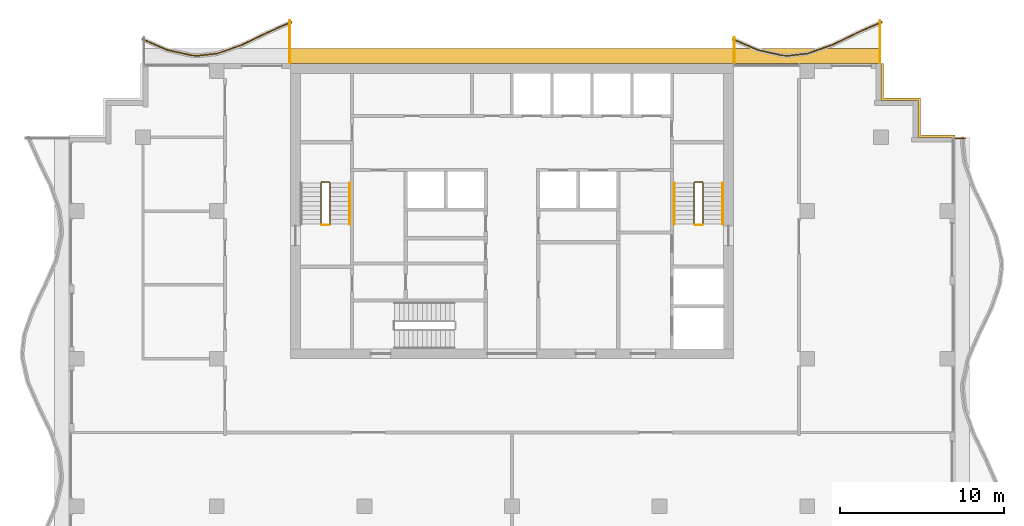
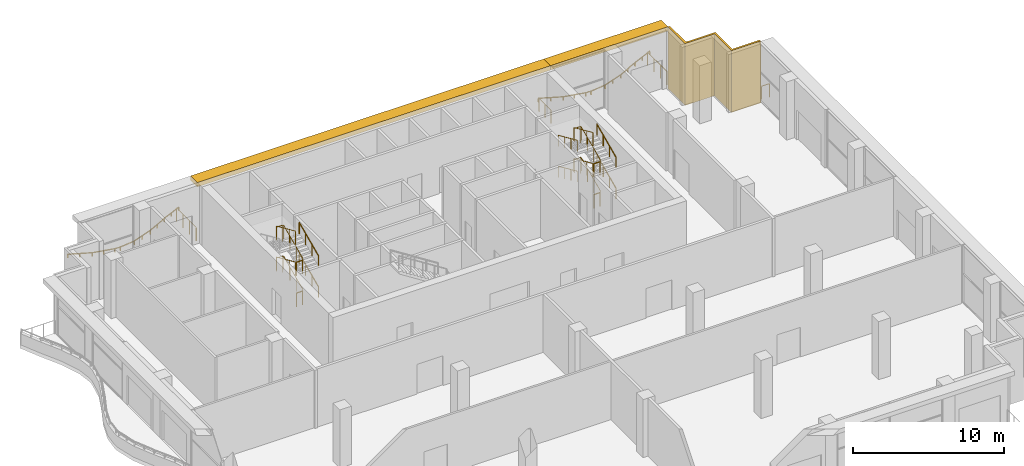
# One storey, part 14 of 14: 20 railings, 3 shading devices.
"""IFC4 building model written with IfcOpenShell, lengths in metres."""

from ifc_helpers import new_model, si_unit, direction, frame, origin, origin_2d, place, context, subcontext, project, spatial, polyline, rectangle, circle, outline, extrude, material, layer, layer_set, type_object, element, save


model = new_model("IFC4")

# Units and contexts
model_context = context("Model", 3, precision=1e-05, world=origin(), true_north=direction((0.0, 1.0)))
body_context = subcontext(model_context, "Body", "Model", "MODEL_VIEW")
ifc_project = project(units=[si_unit("LENGTHUNIT", "METRE"), si_unit("AREAUNIT", "SQUARE_METRE"), si_unit("VOLUMEUNIT", "CUBIC_METRE"), si_unit("PLANEANGLEUNIT", "RADIAN"), si_unit("MASSUNIT", "GRAM", prefix="KILO")], contexts=[model_context])

# Site, building, storey
site_placement = place(None, origin())
site = spatial("IfcSite", under=ifc_project, at=site_placement, CompositionType="ELEMENT")
building_placement = place(site_placement, origin())
building = spatial("IfcBuilding", under=site, at=building_placement, Name="Orbiselva Terraces", CompositionType="ELEMENT")
storey_placement = place(building_placement, frame((0.0, 0.0, 284.4)))
storey = spatial("IfcBuildingStorey", under=building, at=storey_placement, Name="L72", CompositionType="ELEMENT", Elevation=284.4)

# Railings
ifc_material_1 = material(Name="Stainless steel", Category="steel")
railing_type_1 = type_object("IfcRailingType", Name="CORE-GUARD-1100", PredefinedType="GUARDRAIL", material=ifc_material_1)
railing_1_placement = place(storey_placement, frame((-11.1, 12.7, 0.125)))
element("IfcRailing", 1, at=railing_1_placement, inside=storey, type_object=railing_type_1, Name="L72 S1 stair guard 1", PredefinedType="GUARDRAIL", context=body_context, shape_type="SweptSolid", body=[
    extrude(circle(Radius=0.024, at=origin_2d()), frame((0.0, 0.0, 1.081), z_axis=(0.0, 0.913137882438, 0.407650840374), x_axis=(-1.0, 0.0, 0.0)), (0.0, 0.0, 1.0), 2.759715),
    extrude(circle(Radius=0.024, at=origin_2d()), frame((0.0, 2.52, 2.206), z_axis=(-0.707106781187, 0.707106781187, 0.0), x_axis=(-0.707106781187, -0.707106781187, 0.0)), (0.0, 0.0, 1.0), 0.070711),
    extrude(circle(Radius=0.024, at=origin_2d()), frame((-0.05, 2.57, 2.206), z_axis=(-1.0, 0.0, 0.0), x_axis=(0.0, -1.0, 0.0)), (0.0, 0.0, 1.0), 0.45),
    extrude(circle(Radius=0.024, at=origin_2d()), frame((-0.5, 2.57, 2.206), z_axis=(-0.348155311911, -0.348155311911, 0.870388279778), x_axis=(0.707106781187, -0.707106781187, 0.0)), (0.0, 0.0, 1.0), 0.143614),
    extrude(circle(Radius=0.024, at=origin_2d()), frame((-0.55, 2.52, 2.331), z_axis=(0.0, -0.913137882438, 0.407650840374), x_axis=(1.0, 0.0, 0.0)), (0.0, 0.0, 1.0), 2.759715),
    extrude(circle(Radius=0.021, at=origin_2d()), origin(), (0.0, 0.0, 1.0), 1.057),
    extrude(circle(Radius=0.021, at=origin_2d()), frame((0.0, 0.84, 0.375)), (0.0, 0.0, 1.0), 1.057),
    extrude(circle(Radius=0.021, at=origin_2d()), frame((0.0, 1.68, 0.75)), (0.0, 0.0, 1.0), 1.057),
    extrude(circle(Radius=0.021, at=origin_2d()), frame((0.0, 2.52, 1.125)), (0.0, 0.0, 1.0), 1.057),
    extrude(circle(Radius=0.021, at=origin_2d()), frame((-0.05, 2.57, 1.125)), (0.0, 0.0, 1.0), 1.057),
    extrude(circle(Radius=0.021, at=origin_2d()), frame((-0.5, 2.57, 1.125)), (0.0, 0.0, 1.0), 1.057),
    extrude(circle(Radius=0.021, at=origin_2d()), frame((-0.55, 2.52, 1.25)), (0.0, 0.0, 1.0), 1.057),
    extrude(circle(Radius=0.021, at=origin_2d()), frame((-0.55, 1.68, 1.625)), (0.0, 0.0, 1.0), 1.057),
    extrude(circle(Radius=0.021, at=origin_2d()), frame((-0.55, 0.84, 2.0)), (0.0, 0.0, 1.0), 1.057),
    extrude(circle(Radius=0.021, at=origin_2d()), frame((-0.55, 0.0, 2.375)), (0.0, 0.0, 1.0), 1.057),
])
railing_2_placement = place(storey_placement, frame((-11.15, 12.65, 2.5)))
element("IfcRailing", 2, at=railing_2_placement, inside=storey, type_object=railing_type_1, Name="L72 S1 stair guard 2", PredefinedType="GUARDRAIL", context=body_context, shape_type="SweptSolid", body=[
    extrude(circle(Radius=0.024, at=origin_2d()), frame((0.0, 0.0, 1.081), z_axis=(-1.0, 0.0, 0.0), x_axis=(0.0, -1.0, 0.0)), (0.0, 0.0, 1.0), 0.45),
    extrude(circle(Radius=0.021, at=origin_2d()), origin(), (0.0, 0.0, 1.0), 1.057),
    extrude(circle(Radius=0.021, at=origin_2d()), frame((-0.45, 0.0, 0.0)), (0.0, 0.0, 1.0), 1.057),
])
railing_3_placement = place(storey_placement, frame((-11.1, 12.7, 2.625)))
element("IfcRailing", 3, at=railing_3_placement, inside=storey, type_object=railing_type_1, Name="L72 S1 stair guard 3", PredefinedType="GUARDRAIL", context=body_context, shape_type="SweptSolid", body=[
    extrude(circle(Radius=0.024, at=origin_2d()), frame((0.0, 0.0, 1.081), z_axis=(0.0, 0.913137882438, 0.407650840374), x_axis=(-1.0, 0.0, 0.0)), (0.0, 0.0, 1.0), 2.759715),
    extrude(circle(Radius=0.024, at=origin_2d()), frame((0.0, 2.52, 2.206), z_axis=(-0.707106781187, 0.707106781187, 0.0), x_axis=(-0.707106781187, -0.707106781187, 0.0)), (0.0, 0.0, 1.0), 0.070711),
    extrude(circle(Radius=0.024, at=origin_2d()), frame((-0.05, 2.57, 2.206), z_axis=(-1.0, 0.0, 0.0), x_axis=(0.0, -1.0, 0.0)), (0.0, 0.0, 1.0), 0.45),
    extrude(circle(Radius=0.024, at=origin_2d()), frame((-0.5, 2.57, 2.206), z_axis=(-0.348155311911, -0.348155311911, 0.870388279778), x_axis=(0.707106781187, -0.707106781187, 0.0)), (0.0, 0.0, 1.0), 0.143614),
    extrude(circle(Radius=0.024, at=origin_2d()), frame((-0.55, 2.52, 2.331), z_axis=(0.0, -0.913137882438, 0.407650840374), x_axis=(1.0, 0.0, 0.0)), (0.0, 0.0, 1.0), 2.759715),
    extrude(circle(Radius=0.021, at=origin_2d()), origin(), (0.0, 0.0, 1.0), 1.057),
    extrude(circle(Radius=0.021, at=origin_2d()), frame((0.0, 0.84, 0.375)), (0.0, 0.0, 1.0), 1.057),
    extrude(circle(Radius=0.021, at=origin_2d()), frame((0.0, 1.68, 0.75)), (0.0, 0.0, 1.0), 1.057),
    extrude(circle(Radius=0.021, at=origin_2d()), frame((0.0, 2.52, 1.125)), (0.0, 0.0, 1.0), 1.057),
    extrude(circle(Radius=0.021, at=origin_2d()), frame((-0.05, 2.57, 1.125)), (0.0, 0.0, 1.0), 1.057),
    extrude(circle(Radius=0.021, at=origin_2d()), frame((-0.5, 2.57, 1.125)), (0.0, 0.0, 1.0), 1.057),
    extrude(circle(Radius=0.021, at=origin_2d()), frame((-0.55, 2.52, 1.25)), (0.0, 0.0, 1.0), 1.057),
    extrude(circle(Radius=0.021, at=origin_2d()), frame((-0.55, 1.68, 1.625)), (0.0, 0.0, 1.0), 1.057),
    extrude(circle(Radius=0.021, at=origin_2d()), frame((-0.55, 0.84, 2.0)), (0.0, 0.0, 1.0), 1.057),
    extrude(circle(Radius=0.021, at=origin_2d()), frame((-0.55, 0.0, 2.375)), (0.0, 0.0, 1.0), 1.057),
])
railing_4_placement = place(storey_placement, frame((-11.15, 12.65, 0.0)))
element("IfcRailing", 4, at=railing_4_placement, inside=storey, type_object=railing_type_1, Name="L72 S1 stair guard 4", PredefinedType="GUARDRAIL", context=body_context, shape_type="SweptSolid", body=[
    extrude(circle(Radius=0.024, at=origin_2d()), frame((0.0, 0.0, 1.081), z_axis=(-1.0, 0.0, 0.0), x_axis=(0.0, -1.0, 0.0)), (0.0, 0.0, 1.0), 0.45),
    extrude(circle(Radius=0.021, at=origin_2d()), origin(), (0.0, 0.0, 1.0), 1.057),
    extrude(circle(Radius=0.021, at=origin_2d()), frame((-0.45, 0.0, 0.0)), (0.0, 0.0, 1.0), 1.057),
])
railing_5_placement = place(storey_placement, frame((11.65, 12.7, 0.125)))
element("IfcRailing", 5, at=railing_5_placement, inside=storey, type_object=railing_type_1, Name="L72 S2 stair guard 1", PredefinedType="GUARDRAIL", context=body_context, shape_type="SweptSolid", body=[
    extrude(circle(Radius=0.024, at=origin_2d()), frame((0.0, 0.0, 1.081), z_axis=(0.0, 0.913137882438, 0.407650840374), x_axis=(-1.0, 0.0, 0.0)), (0.0, 0.0, 1.0), 2.759715),
    extrude(circle(Radius=0.024, at=origin_2d()), frame((0.0, 2.52, 2.206), z_axis=(-0.707106781187, 0.707106781187, 0.0), x_axis=(-0.707106781187, -0.707106781187, 0.0)), (0.0, 0.0, 1.0), 0.070711),
    extrude(circle(Radius=0.024, at=origin_2d()), frame((-0.05, 2.57, 2.206), z_axis=(-1.0, 0.0, 0.0), x_axis=(0.0, -1.0, 0.0)), (0.0, 0.0, 1.0), 0.45),
    extrude(circle(Radius=0.024, at=origin_2d()), frame((-0.5, 2.57, 2.206), z_axis=(-0.348155311911, -0.348155311911, 0.870388279778), x_axis=(0.707106781187, -0.707106781187, 0.0)), (0.0, 0.0, 1.0), 0.143614),
    extrude(circle(Radius=0.024, at=origin_2d()), frame((-0.55, 2.52, 2.331), z_axis=(0.0, -0.913137882438, 0.407650840374), x_axis=(1.0, 0.0, 0.0)), (0.0, 0.0, 1.0), 2.759715),
    extrude(circle(Radius=0.021, at=origin_2d()), origin(), (0.0, 0.0, 1.0), 1.057),
    extrude(circle(Radius=0.021, at=origin_2d()), frame((0.0, 0.84, 0.375)), (0.0, 0.0, 1.0), 1.057),
    extrude(circle(Radius=0.021, at=origin_2d()), frame((0.0, 1.68, 0.75)), (0.0, 0.0, 1.0), 1.057),
    extrude(circle(Radius=0.021, at=origin_2d()), frame((0.0, 2.52, 1.125)), (0.0, 0.0, 1.0), 1.057),
    extrude(circle(Radius=0.021, at=origin_2d()), frame((-0.05, 2.57, 1.125)), (0.0, 0.0, 1.0), 1.057),
    extrude(circle(Radius=0.021, at=origin_2d()), frame((-0.5, 2.57, 1.125)), (0.0, 0.0, 1.0), 1.057),
    extrude(circle(Radius=0.021, at=origin_2d()), frame((-0.55, 2.52, 1.25)), (0.0, 0.0, 1.0), 1.057),
    extrude(circle(Radius=0.021, at=origin_2d()), frame((-0.55, 1.68, 1.625)), (0.0, 0.0, 1.0), 1.057),
    extrude(circle(Radius=0.021, at=origin_2d()), frame((-0.55, 0.84, 2.0)), (0.0, 0.0, 1.0), 1.057),
    extrude(circle(Radius=0.021, at=origin_2d()), frame((-0.55, 0.0, 2.375)), (0.0, 0.0, 1.0), 1.057),
])
railing_6_placement = place(storey_placement, frame((11.6, 12.65, 2.5)))
element("IfcRailing", 6, at=railing_6_placement, inside=storey, type_object=railing_type_1, Name="L72 S2 stair guard 2", PredefinedType="GUARDRAIL", context=body_context, shape_type="SweptSolid", body=[
    extrude(circle(Radius=0.024, at=origin_2d()), frame((0.0, 0.0, 1.081), z_axis=(-1.0, 0.0, 0.0), x_axis=(0.0, -1.0, 0.0)), (0.0, 0.0, 1.0), 0.45),
    extrude(circle(Radius=0.021, at=origin_2d()), origin(), (0.0, 0.0, 1.0), 1.057),
    extrude(circle(Radius=0.021, at=origin_2d()), frame((-0.45, 0.0, 0.0)), (0.0, 0.0, 1.0), 1.057),
])
railing_7_placement = place(storey_placement, frame((11.65, 12.7, 2.625)))
element("IfcRailing", 7, at=railing_7_placement, inside=storey, type_object=railing_type_1, Name="L72 S2 stair guard 3", PredefinedType="GUARDRAIL", context=body_context, shape_type="SweptSolid", body=[
    extrude(circle(Radius=0.024, at=origin_2d()), frame((0.0, 0.0, 1.081), z_axis=(0.0, 0.913137882438, 0.407650840374), x_axis=(-1.0, 0.0, 0.0)), (0.0, 0.0, 1.0), 2.759715),
    extrude(circle(Radius=0.024, at=origin_2d()), frame((0.0, 2.52, 2.206), z_axis=(-0.707106781187, 0.707106781187, 0.0), x_axis=(-0.707106781187, -0.707106781187, 0.0)), (0.0, 0.0, 1.0), 0.070711),
    extrude(circle(Radius=0.024, at=origin_2d()), frame((-0.05, 2.57, 2.206), z_axis=(-1.0, 0.0, 0.0), x_axis=(0.0, -1.0, 0.0)), (0.0, 0.0, 1.0), 0.45),
    extrude(circle(Radius=0.024, at=origin_2d()), frame((-0.5, 2.57, 2.206), z_axis=(-0.348155311911, -0.348155311911, 0.870388279778), x_axis=(0.707106781187, -0.707106781187, 0.0)), (0.0, 0.0, 1.0), 0.143614),
    extrude(circle(Radius=0.024, at=origin_2d()), frame((-0.55, 2.52, 2.331), z_axis=(0.0, -0.913137882438, 0.407650840374), x_axis=(1.0, 0.0, 0.0)), (0.0, 0.0, 1.0), 2.759715),
    extrude(circle(Radius=0.021, at=origin_2d()), origin(), (0.0, 0.0, 1.0), 1.057),
    extrude(circle(Radius=0.021, at=origin_2d()), frame((0.0, 0.84, 0.375)), (0.0, 0.0, 1.0), 1.057),
    extrude(circle(Radius=0.021, at=origin_2d()), frame((0.0, 1.68, 0.75)), (0.0, 0.0, 1.0), 1.057),
    extrude(circle(Radius=0.021, at=origin_2d()), frame((0.0, 2.52, 1.125)), (0.0, 0.0, 1.0), 1.057),
    extrude(circle(Radius=0.021, at=origin_2d()), frame((-0.05, 2.57, 1.125)), (0.0, 0.0, 1.0), 1.057),
    extrude(circle(Radius=0.021, at=origin_2d()), frame((-0.5, 2.57, 1.125)), (0.0, 0.0, 1.0), 1.057),
    extrude(circle(Radius=0.021, at=origin_2d()), frame((-0.55, 2.52, 1.25)), (0.0, 0.0, 1.0), 1.057),
    extrude(circle(Radius=0.021, at=origin_2d()), frame((-0.55, 1.68, 1.625)), (0.0, 0.0, 1.0), 1.057),
    extrude(circle(Radius=0.021, at=origin_2d()), frame((-0.55, 0.84, 2.0)), (0.0, 0.0, 1.0), 1.057),
    extrude(circle(Radius=0.021, at=origin_2d()), frame((-0.55, 0.0, 2.375)), (0.0, 0.0, 1.0), 1.057),
])
railing_8_placement = place(storey_placement, frame((11.6, 12.65, 0.0)))
element("IfcRailing", 8, at=railing_8_placement, inside=storey, type_object=railing_type_1, Name="L72 S2 stair guard 4", PredefinedType="GUARDRAIL", context=body_context, shape_type="SweptSolid", body=[
    extrude(circle(Radius=0.024, at=origin_2d()), frame((0.0, 0.0, 1.081), z_axis=(-1.0, 0.0, 0.0), x_axis=(0.0, -1.0, 0.0)), (0.0, 0.0, 1.0), 0.45),
    extrude(circle(Radius=0.021, at=origin_2d()), origin(), (0.0, 0.0, 1.0), 1.057),
    extrude(circle(Radius=0.021, at=origin_2d()), frame((-0.45, 0.0, 0.0)), (0.0, 0.0, 1.0), 1.057),
])
railing_type_2 = type_object("IfcRailingType", Name="CORE-HANDRAIL-900", PredefinedType="HANDRAIL", material=ifc_material_1)
for number, where, name in (
    (9, (-9.9, 12.7, 0.125), "L72 S1 stair handrail 1"),
    (10, (-9.9, 12.7, 2.625), "L72 S1 stair handrail 3"),
    (11, (12.85, 12.7, 0.125), "L72 S2 stair handrail 1"),
):
    element("IfcRailing", number, at=place(storey_placement, frame(where)), inside=storey, type_object=railing_type_2, Name=name, PredefinedType="HANDRAIL", context=body_context, shape_type="SweptSolid", body=[
        extrude(circle(Radius=0.024, at=origin_2d()), frame((0.0, 0.0, 0.876), z_axis=(0.0, 0.913137882438, 0.407650840374), x_axis=(-1.0, 0.0, 0.0)), (0.0, 0.0, 1.0), 2.759715),
        extrude(circle(Radius=0.021, at=origin_2d()), origin(), (0.0, 0.0, 1.0), 0.852),
        extrude(circle(Radius=0.021, at=origin_2d()), frame((0.0, 0.84, 0.375)), (0.0, 0.0, 1.0), 0.852),
        extrude(circle(Radius=0.021, at=origin_2d()), frame((0.0, 1.68, 0.75)), (0.0, 0.0, 1.0), 0.852),
        extrude(circle(Radius=0.021, at=origin_2d()), frame((0.0, 2.52, 1.125)), (0.0, 0.0, 1.0), 0.852),
    ])
railing_9_placement = place(storey_placement, frame((9.9, 15.22, 1.375)))
element("IfcRailing", 12, at=railing_9_placement, inside=storey, type_object=railing_type_2, Name="L72 S2 stair handrail 2", PredefinedType="HANDRAIL", context=body_context, shape_type="SweptSolid", body=[
    extrude(circle(Radius=0.024, at=origin_2d()), frame((0.0, 0.0, 0.876), z_axis=(0.0, -0.913137882438, 0.407650840374), x_axis=(1.0, 0.0, 0.0)), (0.0, 0.0, 1.0), 2.759715),
    extrude(circle(Radius=0.021, at=origin_2d()), origin(), (0.0, 0.0, 1.0), 0.852),
    extrude(circle(Radius=0.021, at=origin_2d()), frame((0.0, -0.84, 0.375)), (0.0, 0.0, 1.0), 0.852),
    extrude(circle(Radius=0.021, at=origin_2d()), frame((0.0, -1.68, 0.75)), (0.0, 0.0, 1.0), 0.852),
    extrude(circle(Radius=0.021, at=origin_2d()), frame((0.0, -2.52, 1.125)), (0.0, 0.0, 1.0), 0.852),
])
railing_10_placement = place(storey_placement, frame((12.85, 12.7, 2.625)))
element("IfcRailing", 13, at=railing_10_placement, inside=storey, type_object=railing_type_2, Name="L72 S2 stair handrail 3", PredefinedType="HANDRAIL", context=body_context, shape_type="SweptSolid", body=[
    extrude(circle(Radius=0.024, at=origin_2d()), frame((0.0, 0.0, 0.876), z_axis=(0.0, 0.913137882438, 0.407650840374), x_axis=(-1.0, 0.0, 0.0)), (0.0, 0.0, 1.0), 2.759715),
    extrude(circle(Radius=0.021, at=origin_2d()), origin(), (0.0, 0.0, 1.0), 0.852),
    extrude(circle(Radius=0.021, at=origin_2d()), frame((0.0, 0.84, 0.375)), (0.0, 0.0, 1.0), 0.852),
    extrude(circle(Radius=0.021, at=origin_2d()), frame((0.0, 1.68, 0.75)), (0.0, 0.0, 1.0), 0.852),
    extrude(circle(Radius=0.021, at=origin_2d()), frame((0.0, 2.52, 1.125)), (0.0, 0.0, 1.0), 0.852),
])
railing_11_placement = place(storey_placement, frame((9.9, 15.22, 3.875)))
element("IfcRailing", 14, at=railing_11_placement, inside=storey, type_object=railing_type_2, Name="L72 S2 stair handrail 4", PredefinedType="HANDRAIL", context=body_context, shape_type="SweptSolid", body=[
    extrude(circle(Radius=0.024, at=origin_2d()), frame((0.0, 0.0, 0.876), z_axis=(0.0, -0.913137882438, 0.407650840374), x_axis=(1.0, 0.0, 0.0)), (0.0, 0.0, 1.0), 2.759715),
    extrude(circle(Radius=0.021, at=origin_2d()), origin(), (0.0, 0.0, 1.0), 0.852),
    extrude(circle(Radius=0.021, at=origin_2d()), frame((0.0, -0.84, 0.375)), (0.0, 0.0, 1.0), 0.852),
    extrude(circle(Radius=0.021, at=origin_2d()), frame((0.0, -1.68, 0.75)), (0.0, 0.0, 1.0), 0.852),
    extrude(circle(Radius=0.021, at=origin_2d()), frame((0.0, -2.52, 1.125)), (0.0, 0.0, 1.0), 0.852),
])
ifc_material_2 = material(Name="Bonded two-ply safety glass balustrade, stainless steel posts", Category="steel")
railing_type_3 = type_object("IfcRailingType", Name="ENV-BALUSTRADE-1200", PredefinedType="BALUSTRADE", material=ifc_material_2)
railing_12_placement = place(storey_placement, frame((22.550394, 25.034136, 0.9)))
element("IfcRailing", 15, at=railing_12_placement, inside=storey, type_object=railing_type_3, Name="Balcony balustrade L72 NE", PredefinedType="BALUSTRADE", context=body_context, shape_type="SweptSolid", body=[
    extrude(outline(polyline([(0.028868, 0.0), (0.014434, 0.025), (-0.014434, 0.025), (-0.028868, 0.0), (-0.014434, -0.025), (0.014434, -0.025), (0.028868, 0.0)])), frame((0.0, 0.0, 0.275), z_axis=(-0.915133498047, -0.403150940408, 0.0), x_axis=(0.403150940408, -0.915133498047, 0.0)), (0.0, 0.0, 1.0), 1.636648),
    extrude(outline(polyline([(0.028868, 0.0), (0.014434, 0.025), (-0.014434, 0.025), (-0.028868, 0.0), (-0.014434, -0.025), (0.014434, -0.025), (0.028868, 0.0)])), frame((-1.497751, -0.659816, 0.275), z_axis=(-0.898578870221, -0.438812048596, 0.0), x_axis=(0.438812048596, -0.898578870221, 0.0)), (0.0, 0.0, 1.0), 1.674225),
    extrude(outline(polyline([(0.028868, 0.0), (0.014434, 0.025), (-0.014434, 0.025), (-0.028868, 0.0), (-0.014434, -0.025), (0.014434, -0.025), (0.028868, 0.0)])), frame((-3.002174, -1.394486, 0.275), z_axis=(-0.943972332783, -0.330024597479, 0.0), x_axis=(0.330024597479, -0.943972332783, 0.0)), (0.0, 0.0, 1.0), 1.610253),
    extrude(outline(polyline([(0.028868, 0.0), (0.014434, 0.025), (-0.014434, 0.025), (-0.028868, 0.0), (-0.014434, -0.025), (0.014434, -0.025), (0.028868, 0.0)])), frame((-4.522208, -1.925909, 0.275), z_axis=(-0.993309551734, -0.115482182324, 0.0), x_axis=(0.115482182324, -0.993309551734, 0.0)), (0.0, 0.0, 1.0), 1.156135),
    extrude(outline(polyline([(0.028868, 0.0), (0.014434, 0.025), (-0.014434, 0.025), (-0.028868, 0.0), (-0.014434, -0.025), (0.014434, -0.025), (0.028868, 0.0)])), frame((-5.670608, -2.059422, 0.275), z_axis=(-0.999224734286, 0.03936915532, 0.0), x_axis=(-0.03936915532, -0.999224734286, 0.0)), (0.0, 0.0, 1.0), 0.396376),
    extrude(outline(polyline([(0.028868, 0.0), (0.014434, 0.025), (-0.014434, 0.025), (-0.028868, 0.0), (-0.014434, -0.025), (0.014434, -0.025), (0.028868, 0.0)])), frame((-6.066677, -2.043817, 0.275), z_axis=(-0.97572137947, 0.219015500924, 0.0), x_axis=(-0.219015500924, -0.97572137947, 0.0)), (0.0, 0.0, 1.0), 1.560867),
    extrude(outline(polyline([(0.028868, 0.0), (0.014434, 0.025), (-0.014434, 0.025), (-0.028868, 0.0), (-0.014434, -0.025), (0.014434, -0.025), (0.028868, 0.0)])), frame((-7.589648, -1.701963, 0.275), z_axis=(-0.915133578754, 0.403150757208, 0.0), x_axis=(-0.403150757208, -0.915133578754, 0.0)), (0.0, 0.0, 1.0), 1.651278),
    extrude(rectangle(XDim=0.05, YDim=0.05, at=origin_2d()), origin(), (0.0, 0.0, 1.0), 0.25),
    extrude(rectangle(XDim=0.05, YDim=0.05, at=origin_2d()), frame((-0.748876, -0.329908, 0.0)), (0.0, 0.0, 1.0), 0.25),
    extrude(rectangle(XDim=0.05, YDim=0.05, at=origin_2d()), frame((-1.497751, -0.659816, 0.0)), (0.0, 0.0, 1.0), 0.25),
    extrude(rectangle(XDim=0.05, YDim=0.05, at=origin_2d()), frame((-2.249963, -1.027151, 0.0)), (0.0, 0.0, 1.0), 0.25),
    extrude(rectangle(XDim=0.05, YDim=0.05, at=origin_2d()), frame((-3.002174, -1.394486, 0.0)), (0.0, 0.0, 1.0), 0.25),
    extrude(rectangle(XDim=0.05, YDim=0.05, at=origin_2d()), frame((-3.762191, -1.660198, 0.0)), (0.0, 0.0, 1.0), 0.25),
    extrude(rectangle(XDim=0.05, YDim=0.05, at=origin_2d()), frame((-4.522208, -1.925909, 0.0)), (0.0, 0.0, 1.0), 0.25),
    extrude(rectangle(XDim=0.05, YDim=0.05, at=origin_2d()), frame((-5.670608, -2.059422, 0.0)), (0.0, 0.0, 1.0), 0.25),
    extrude(rectangle(XDim=0.05, YDim=0.05, at=origin_2d()), frame((-6.066677, -2.043817, 0.0)), (0.0, 0.0, 1.0), 0.25),
    extrude(rectangle(XDim=0.05, YDim=0.05, at=origin_2d()), frame((-6.828163, -1.87289, 0.0)), (0.0, 0.0, 1.0), 0.25),
    extrude(rectangle(XDim=0.05, YDim=0.05, at=origin_2d()), frame((-7.589648, -1.701963, 0.0)), (0.0, 0.0, 1.0), 0.25),
    extrude(rectangle(XDim=0.05, YDim=0.05, at=origin_2d()), frame((-8.345218, -1.369106, 0.0)), (0.0, 0.0, 1.0), 0.25),
    extrude(rectangle(XDim=0.05, YDim=0.05, at=origin_2d()), frame((-9.100788, -1.036249, 0.0)), (0.0, 0.0, 1.0), 0.25),
])
railing_13_placement = place(storey_placement, frame((-13.449606, 25.034136, 0.9)))
element("IfcRailing", 16, at=railing_13_placement, inside=storey, type_object=railing_type_3, Name="Balcony balustrade L72 NW", PredefinedType="BALUSTRADE", context=body_context, shape_type="SweptSolid", body=[
    extrude(outline(polyline([(0.028868, 0.0), (0.014434, 0.025), (-0.014434, 0.025), (-0.028868, 0.0), (-0.014434, -0.025), (0.014434, -0.025), (0.028868, 0.0)])), frame((0.0, 0.0, 0.275), z_axis=(-0.915133498047, -0.403150940408, 0.0), x_axis=(0.403150940408, -0.915133498047, 0.0)), (0.0, 0.0, 1.0), 1.636648),
    extrude(outline(polyline([(0.028868, 0.0), (0.014434, 0.025), (-0.014434, 0.025), (-0.028868, 0.0), (-0.014434, -0.025), (0.014434, -0.025), (0.028868, 0.0)])), frame((-1.497751, -0.659816, 0.275), z_axis=(-0.898578870221, -0.438812048596, 0.0), x_axis=(0.438812048596, -0.898578870221, 0.0)), (0.0, 0.0, 1.0), 1.674225),
    extrude(outline(polyline([(0.028868, 0.0), (0.014434, 0.025), (-0.014434, 0.025), (-0.028868, 0.0), (-0.014434, -0.025), (0.014434, -0.025), (0.028868, 0.0)])), frame((-3.002174, -1.394486, 0.275), z_axis=(-0.943972332783, -0.330024597479, 0.0), x_axis=(0.330024597479, -0.943972332783, 0.0)), (0.0, 0.0, 1.0), 1.610253),
    extrude(outline(polyline([(0.028868, 0.0), (0.014434, 0.025), (-0.014434, 0.025), (-0.028868, 0.0), (-0.014434, -0.025), (0.014434, -0.025), (0.028868, 0.0)])), frame((-4.522208, -1.925909, 0.275), z_axis=(-0.993309551734, -0.115482182324, 0.0), x_axis=(0.115482182324, -0.993309551734, 0.0)), (0.0, 0.0, 1.0), 1.156135),
    extrude(outline(polyline([(0.028868, 0.0), (0.014434, 0.025), (-0.014434, 0.025), (-0.028868, 0.0), (-0.014434, -0.025), (0.014434, -0.025), (0.028868, 0.0)])), frame((-5.670608, -2.059422, 0.275), z_axis=(-0.999224734286, 0.03936915532, 0.0), x_axis=(-0.03936915532, -0.999224734286, 0.0)), (0.0, 0.0, 1.0), 0.396376),
    extrude(outline(polyline([(0.028868, 0.0), (0.014434, 0.025), (-0.014434, 0.025), (-0.028868, 0.0), (-0.014434, -0.025), (0.014434, -0.025), (0.028868, 0.0)])), frame((-6.066677, -2.043817, 0.275), z_axis=(-0.97572137947, 0.219015500924, 0.0), x_axis=(-0.219015500924, -0.97572137947, 0.0)), (0.0, 0.0, 1.0), 1.560867),
    extrude(outline(polyline([(0.028868, 0.0), (0.014434, 0.025), (-0.014434, 0.025), (-0.028868, 0.0), (-0.014434, -0.025), (0.014434, -0.025), (0.028868, 0.0)])), frame((-7.589648, -1.701963, 0.275), z_axis=(-0.915133578754, 0.403150757208, 0.0), x_axis=(-0.403150757208, -0.915133578754, 0.0)), (0.0, 0.0, 1.0), 1.651278),
    extrude(rectangle(XDim=0.05, YDim=0.05, at=origin_2d()), origin(), (0.0, 0.0, 1.0), 0.25),
    extrude(rectangle(XDim=0.05, YDim=0.05, at=origin_2d()), frame((-0.748876, -0.329908, 0.0)), (0.0, 0.0, 1.0), 0.25),
    extrude(rectangle(XDim=0.05, YDim=0.05, at=origin_2d()), frame((-1.497751, -0.659816, 0.0)), (0.0, 0.0, 1.0), 0.25),
    extrude(rectangle(XDim=0.05, YDim=0.05, at=origin_2d()), frame((-2.249963, -1.027151, 0.0)), (0.0, 0.0, 1.0), 0.25),
    extrude(rectangle(XDim=0.05, YDim=0.05, at=origin_2d()), frame((-3.002174, -1.394486, 0.0)), (0.0, 0.0, 1.0), 0.25),
    extrude(rectangle(XDim=0.05, YDim=0.05, at=origin_2d()), frame((-3.762191, -1.660198, 0.0)), (0.0, 0.0, 1.0), 0.25),
    extrude(rectangle(XDim=0.05, YDim=0.05, at=origin_2d()), frame((-4.522208, -1.925909, 0.0)), (0.0, 0.0, 1.0), 0.25),
    extrude(rectangle(XDim=0.05, YDim=0.05, at=origin_2d()), frame((-5.670608, -2.059422, 0.0)), (0.0, 0.0, 1.0), 0.25),
    extrude(rectangle(XDim=0.05, YDim=0.05, at=origin_2d()), frame((-6.066677, -2.043817, 0.0)), (0.0, 0.0, 1.0), 0.25),
    extrude(rectangle(XDim=0.05, YDim=0.05, at=origin_2d()), frame((-6.828163, -1.87289, 0.0)), (0.0, 0.0, 1.0), 0.25),
    extrude(rectangle(XDim=0.05, YDim=0.05, at=origin_2d()), frame((-7.589648, -1.701963, 0.0)), (0.0, 0.0, 1.0), 0.25),
    extrude(rectangle(XDim=0.05, YDim=0.05, at=origin_2d()), frame((-8.345218, -1.369106, 0.0)), (0.0, 0.0, 1.0), 0.25),
    extrude(rectangle(XDim=0.05, YDim=0.05, at=origin_2d()), frame((-9.100788, -1.036249, 0.0)), (0.0, 0.0, 1.0), 0.25),
])
ifc_material_3 = material(Name="Stainless steel rail and posts", Category="steel")
railing_type_4 = type_object("IfcRailingType", Name="ENV-GUARD-1105", PredefinedType="BALUSTRADE", material=ifc_material_3)
railing_14_placement = place(storey_placement, frame((27.610431, 17.94, 0.0)))
element("IfcRailing", 17, at=railing_14_placement, inside=storey, type_object=railing_type_4, Name="Balcony end guard L72 E", PredefinedType="BALUSTRADE", context=body_context, shape_type="SweptSolid", body=[
    extrude(outline(polyline([(0.028868, 0.0), (0.014434, 0.025), (-0.014434, 0.025), (-0.028868, 0.0), (-0.014434, -0.025), (0.014434, -0.025), (0.028868, 0.0)])), frame((0.0, 0.0, 1.08), z_axis=(-1.0, 0.0, 0.0), x_axis=(0.0, -1.0, 0.0)), (0.0, 0.0, 1.0), 0.585431),
    extrude(rectangle(XDim=0.05, YDim=0.05, at=origin_2d()), origin(), (0.0, 0.0, 1.0), 1.055),
    extrude(rectangle(XDim=0.05, YDim=0.05, at=origin_2d()), frame((-0.585431, 0.0, 0.0)), (0.0, 0.0, 1.0), 1.055),
])
railing_15_placement = place(storey_placement, frame((22.44, 25.126937, 0.0)))
element("IfcRailing", 18, at=railing_15_placement, inside=storey, type_object=railing_type_4, Name="Balcony end guard L72 NE", PredefinedType="BALUSTRADE", context=body_context, shape_type="SweptSolid", body=[
    extrude(outline(polyline([(0.028868, 0.0), (0.014434, 0.025), (-0.014434, 0.025), (-0.028868, 0.0), (-0.014434, -0.025), (0.014434, -0.025), (0.028868, 0.0)])), frame((0.0, 0.0, 1.08), z_axis=(0.0, -1.0, 0.0), x_axis=(1.0, 0.0, 0.0)), (0.0, 0.0, 1.0), 2.601937),
    extrude(rectangle(XDim=0.05, YDim=0.05, at=origin_2d()), origin(), (0.0, 0.0, 1.0), 1.055),
    extrude(rectangle(XDim=0.05, YDim=0.05, at=origin_2d()), frame((0.0, -0.867312, 0.0)), (0.0, 0.0, 1.0), 1.055),
    extrude(rectangle(XDim=0.05, YDim=0.05, at=origin_2d()), frame((0.0, -1.734625, 0.0)), (0.0, 0.0, 1.0), 1.055),
    extrude(rectangle(XDim=0.05, YDim=0.05, at=origin_2d()), frame((0.0, -2.601937, 0.0)), (0.0, 0.0, 1.0), 1.055),
])
railing_16_placement = place(storey_placement, frame((13.56, 24.082553, 0.0)))
element("IfcRailing", 19, at=railing_16_placement, inside=storey, type_object=railing_type_4, Name="Balcony end guard L72 NE", PredefinedType="BALUSTRADE", context=body_context, shape_type="SweptSolid", body=[
    extrude(outline(polyline([(0.028868, 0.0), (0.014434, 0.025), (-0.014434, 0.025), (-0.028868, 0.0), (-0.014434, -0.025), (0.014434, -0.025), (0.028868, 0.0)])), frame((0.0, 0.0, 1.08), z_axis=(0.0, -1.0, 0.0), x_axis=(1.0, 0.0, 0.0)), (0.0, 0.0, 1.0), 1.557553),
    extrude(rectangle(XDim=0.05, YDim=0.05, at=origin_2d()), origin(), (0.0, 0.0, 1.0), 1.055),
    extrude(rectangle(XDim=0.05, YDim=0.05, at=origin_2d()), frame((0.0, -0.778777, 0.0)), (0.0, 0.0, 1.0), 1.055),
    extrude(rectangle(XDim=0.05, YDim=0.05, at=origin_2d()), frame((0.0, -1.557553, 0.0)), (0.0, 0.0, 1.0), 1.055),
])
railing_17_placement = place(storey_placement, frame((-13.56, 25.126937, 0.0)))
element("IfcRailing", 20, at=railing_17_placement, inside=storey, type_object=railing_type_4, Name="Balcony end guard L72 NW", PredefinedType="BALUSTRADE", context=body_context, shape_type="SweptSolid", body=[
    extrude(outline(polyline([(0.028868, 0.0), (0.014434, 0.025), (-0.014434, 0.025), (-0.028868, 0.0), (-0.014434, -0.025), (0.014434, -0.025), (0.028868, 0.0)])), frame((0.0, 0.0, 1.08), z_axis=(0.0, -1.0, 0.0), x_axis=(1.0, 0.0, 0.0)), (0.0, 0.0, 1.0), 2.601937),
    extrude(rectangle(XDim=0.05, YDim=0.05, at=origin_2d()), origin(), (0.0, 0.0, 1.0), 1.055),
    extrude(rectangle(XDim=0.05, YDim=0.05, at=origin_2d()), frame((0.0, -0.867312, 0.0)), (0.0, 0.0, 1.0), 1.055),
    extrude(rectangle(XDim=0.05, YDim=0.05, at=origin_2d()), frame((0.0, -1.734625, 0.0)), (0.0, 0.0, 1.0), 1.055),
    extrude(rectangle(XDim=0.05, YDim=0.05, at=origin_2d()), frame((0.0, -2.601937, 0.0)), (0.0, 0.0, 1.0), 1.055),
])

# Shading devices
ifc_material_4 = material(Name="Terracotta louvre screen", Category="masonry")
ifc_layer_1 = layer(ifc_material_4, 0.15)
ifc_layer_set_1 = layer_set([ifc_layer_1], Name="Terracotta louvre screen")
shading_device_type_1 = type_object("IfcShadingDeviceType", Name="ENV-SCREEN-150", PredefinedType="USERDEFINED", material=ifc_layer_set_1)
shading_device_1_placement = place(storey_placement, frame((0.0, 0.0, -0.3)))
element("IfcShadingDevice", 21, at=shading_device_1_placement, inside=storey, type_object=shading_device_type_1, Name="Louvre screen L72 NE", ObjectType="SCREEN", PredefinedType="USERDEFINED", context=body_context, shape_type="SweptSolid", body=[
    extrude(outline(polyline([(27.0, 18.15), (24.9, 18.15), (24.9, 20.4), (22.65, 20.4), (22.65, 22.5), (22.5, 22.5), (22.5, 20.25), (24.75, 20.25), (24.75, 18.0), (27.0, 18.0), (27.0, 18.15)])), origin(), (0.0, 0.0, 1.0), 5.0),
])
ifc_material_5 = material(Name="Terracotta baguette sunshade", Category="masonry")
ifc_layer_2 = layer(ifc_material_5, 0.35)
ifc_layer_set_2 = layer_set([ifc_layer_2], Name="Terracotta baguette sunshade")
shading_device_type_2 = type_object("IfcShadingDeviceType", Name="ENV-SUNSHADE-900x350", PredefinedType="USERDEFINED", material=ifc_layer_set_2)
shading_device_2_placement = place(storey_placement, frame((0.0, 0.0, 4.35)))
element("IfcShadingDevice", 22, at=shading_device_2_placement, inside=storey, type_object=shading_device_type_2, Name="Sunshade band L72 NE", ObjectType="SUNSHADE", PredefinedType="USERDEFINED", context=body_context, shape_type="SweptSolid", body=[
    extrude(outline(polyline([(22.5, 23.4), (13.5, 23.4), (13.5, 22.5), (22.5, 22.5), (22.5, 23.4)])), origin(), (0.0, 0.0, 1.0), 0.35),
])
shading_device_3_placement = place(storey_placement, frame((0.0, 0.0, 4.35)))
element("IfcShadingDevice", 23, at=shading_device_3_placement, inside=storey, type_object=shading_device_type_2, Name="Sunshade band L72 CORE NORTH", ObjectType="SUNSHADE", PredefinedType="USERDEFINED", context=body_context, shape_type="SweptSolid", body=[
    extrude(outline(polyline([(13.5, 23.4), (-13.5, 23.4), (-13.5, 22.5), (13.5, 22.5), (13.5, 23.4)])), origin(), (0.0, 0.0, 1.0), 0.35),
])

save(model, "model.ifc")
